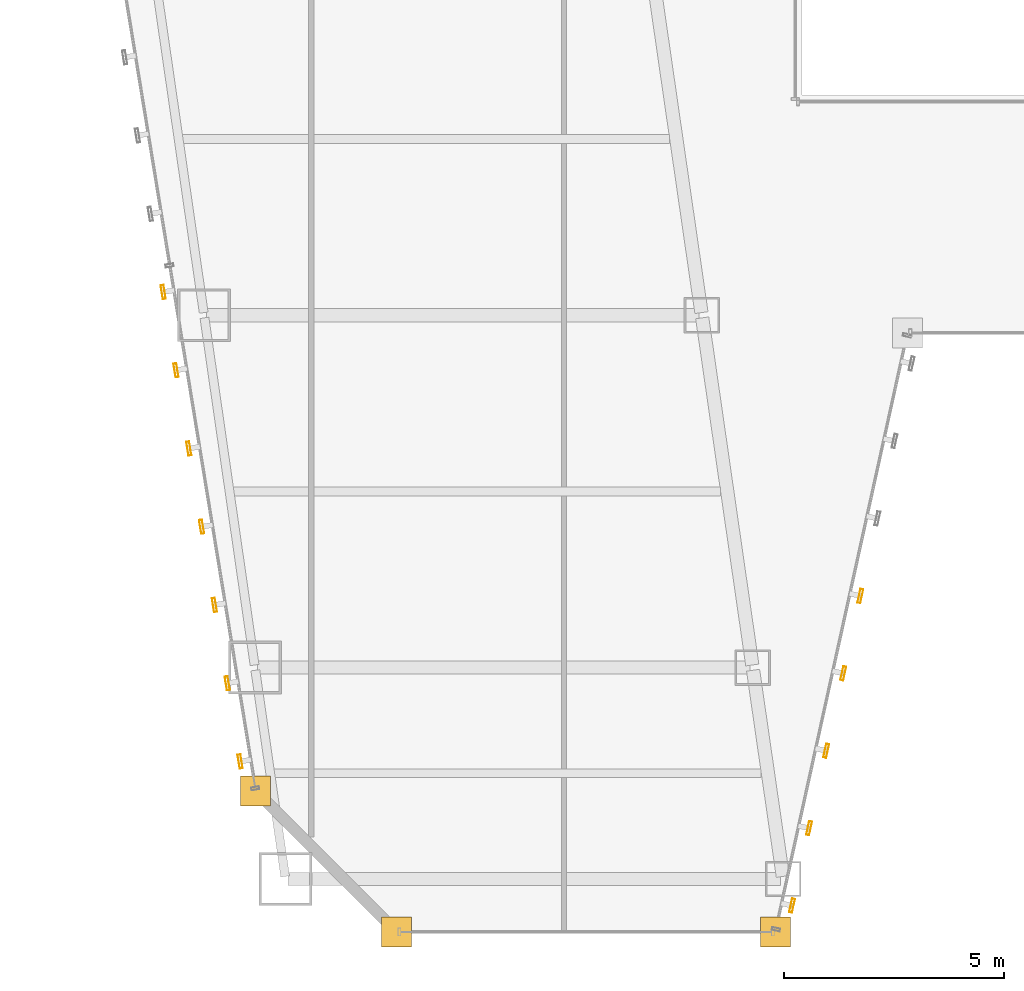
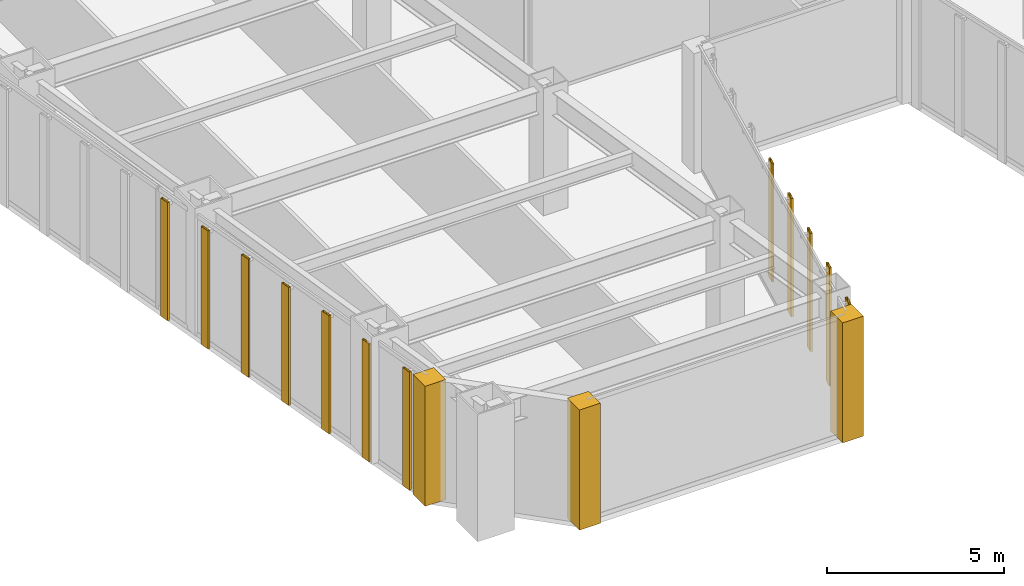
# One storey, part 41 of 47: 12 shading devices, 3 coverings.
"""IFC4 building model written with IfcOpenShell, lengths in metres."""

from ifc_helpers import new_model, si_unit, direction, frame, origin, origin_2d, place, context, subcontext, project, spatial, polyline, hollow_rectangle, outline, extrude, material, layer, layer_set, material_profile, profile_set, type_object, element, save


model = new_model("IFC4")

# Units and contexts
model_context = context("Model", 3, precision=1e-05, world=origin(), true_north=direction((0.0, 1.0)))
body_context = subcontext(model_context, "Body", "Model", "MODEL_VIEW")
ifc_project = project(units=[si_unit("LENGTHUNIT", "METRE"), si_unit("AREAUNIT", "SQUARE_METRE"), si_unit("VOLUMEUNIT", "CUBIC_METRE"), si_unit("PLANEANGLEUNIT", "RADIAN"), si_unit("MASSUNIT", "GRAM", prefix="KILO")], contexts=[model_context])

# Site, building, storey
site_placement = place(None, origin())
site = spatial("IfcSite", under=ifc_project, at=site_placement, CompositionType="ELEMENT")
building_placement = place(site_placement, origin())
building = spatial("IfcBuilding", under=site, at=building_placement, Name="Saevonmaru Cultural Tower", CompositionType="ELEMENT")
storey_placement = place(building_placement, frame((0.0, 0.0, 47.199951171875)))
storey = spatial("IfcBuildingStorey", under=building, at=storey_placement, Name="L09", CompositionType="ELEMENT", Elevation=47.199951171875)

# Coverings
ifc_material = material(Name="Satin Bronze Anodised Aluminium", Category="aluminium")
ifc_layer = layer(ifc_material, 0.679931640625, Name="Satin Bronze Anodised Aluminium")
ifc_layer_set = layer_set([ifc_layer], Name="Satin Bronze Anodised Aluminium")
covering_type = type_object("IfcCoveringType", Name="CV-CORNER-CLAD", PredefinedType="CLADDING", material=ifc_layer_set)
covering_1_placement = place(storey_placement, origin())
element("IfcCovering", 1, at=covering_1_placement, inside=storey, type_object=covering_type, Name="L09 Tower Bronze Corner Cladding Pier 1", PredefinedType="CLADDING", context=body_context, shape_type="SweptSolid", body=[
    extrude(outline(polyline([(11.4599609375, 4.860107421875), (12.139892578125, 4.860107421875), (12.139892578125, 5.5400390625), (11.4599609375, 5.5400390625), (11.4599609375, 4.860107421875)])), origin(), (0.0, 0.0, 1.0), 4.150146484375),
])
covering_2_placement = place(storey_placement, origin())
element("IfcCovering", 2, at=covering_2_placement, inside=storey, type_object=covering_type, Name="L09 Tower Bronze Corner Cladding Pier 2", PredefinedType="CLADDING", context=body_context, shape_type="SweptSolid", body=[
    extrude(outline(polyline([(14.659912109375, 1.659912109375), (15.340087890625, 1.659912109375), (15.340087890625, 2.340087890625), (14.659912109375, 2.340087890625), (14.659912109375, 1.659912109375)])), origin(), (0.0, 0.0, 1.0), 4.150146484375),
])
covering_3_placement = place(storey_placement, origin())
element("IfcCovering", 3, at=covering_3_placement, inside=storey, type_object=covering_type, Name="L09 Tower Bronze Corner Cladding Pier 3", PredefinedType="CLADDING", context=body_context, shape_type="SweptSolid", body=[
    extrude(outline(polyline([(23.260009765625, 1.659912109375), (23.93994140625, 1.659912109375), (23.93994140625, 2.340087890625), (23.260009765625, 2.340087890625), (23.260009765625, 1.659912109375)])), origin(), (0.0, 0.0, 1.0), 4.150146484375),
])

# Shading devices
ifc_material_profile = material_profile(ifc_material, hollow_rectangle(XDim=0.070068359375, YDim=0.320068359375, WallThickness=0.0048828125, at=origin_2d()), Name="FIN-320x70")
ifc_profile_set = profile_set([ifc_material_profile], Name="Satin Bronze Anodised Aluminium")
shading_device_type = type_object("IfcShadingDeviceType", Name="SHD-FIN-320", PredefinedType="JALOUSIE", material=ifc_profile_set)
for number, where, z_axis, x_axis, name in (
    (4, (23.977294921875, 2.59619140625, 0.050048828125), (0.0, 0.0, 1.0), (0.976522126798, -0.215417120661, 0.0), "L09 Art Deco Sawtooth Bronze Fin E3-01"),
    (5, (24.364990234375, 4.35400390625, 0.050048828125), (0.0, 0.0, 1.0), (0.976522126798, -0.215417120661, 0.0), "L09 Art Deco Sawtooth Bronze Fin E3-02"),
    (6, (24.752685546875, 6.11181640625, 0.050048828125), (0.0, 0.0, 1.0), (0.976522126798, -0.215417120661, 0.0), "L09 Art Deco Sawtooth Bronze Fin E3-03"),
    (7, (25.140380859375, 7.869384765625, 0.050048828125), (0.0, 0.0, 1.0), (0.976522126798, -0.215417120661, 0.0), "L09 Art Deco Sawtooth Bronze Fin E3-04"),
    (8, (25.5283203125, 9.627197265625, 0.050048828125), (0.0, 0.0, 1.0), (0.976522126798, -0.215417120661, 0.0), "L09 Art Deco Sawtooth Bronze Fin E3-05"),
    (9, (9.70068359375, 16.527099609375, 0.050048828125), (0.0, 0.0, 1.0), (-0.986827496189, -0.161776057456, 0.0), "L09 Art Deco Sawtooth Bronze Fin E12-21"),
    (10, (9.99169921875, 14.750732421875, 0.050048828125), (0.0, 0.0, 1.0), (-0.986827496189, -0.161776057456, 0.0), "L09 Art Deco Sawtooth Bronze Fin E12-22"),
    (11, (10.28271484375, 12.974365234375, 0.050048828125), (0.0, 0.0, 1.0), (-0.986827496189, -0.161776057456, 0.0), "L09 Art Deco Sawtooth Bronze Fin E12-23"),
    (12, (10.573974609375, 11.197998046875, 0.050048828125), (0.0, 0.0, 1.0), (-0.986827496189, -0.161776057456, 0.0), "L09 Art Deco Sawtooth Bronze Fin E12-24"),
    (13, (10.864990234375, 9.421875, 0.050048828125), (0.0, 0.0, 1.0), (-0.986827496189, -0.161776057456, 0.0), "L09 Art Deco Sawtooth Bronze Fin E12-25"),
    (14, (11.156005859375, 7.6455078125, 0.050048828125), (0.0, 0.0, 1.0), (-0.986827496189, -0.161776057456, 0.0), "L09 Art Deco Sawtooth Bronze Fin E12-26"),
    (15, (11.447021484375, 5.869140625, 0.050048828125), (0.0, 0.0, 1.0), (-0.986827496189, -0.161776057456, 0.0), "L09 Art Deco Sawtooth Bronze Fin E12-27"),
):
    element("IfcShadingDevice", number, at=place(storey_placement, frame(where, z_axis=z_axis, x_axis=x_axis)), inside=storey, type_object=shading_device_type, Name=name, PredefinedType="JALOUSIE", context=body_context, shape_type="SweptSolid", body=[
        extrude(hollow_rectangle(XDim=0.070068359375, YDim=0.320068359375, WallThickness=0.0048828125, at=origin_2d()), origin(), (0.0, 0.0, 1.0), 4.080078125),
    ])

save(model, "model.ifc")
